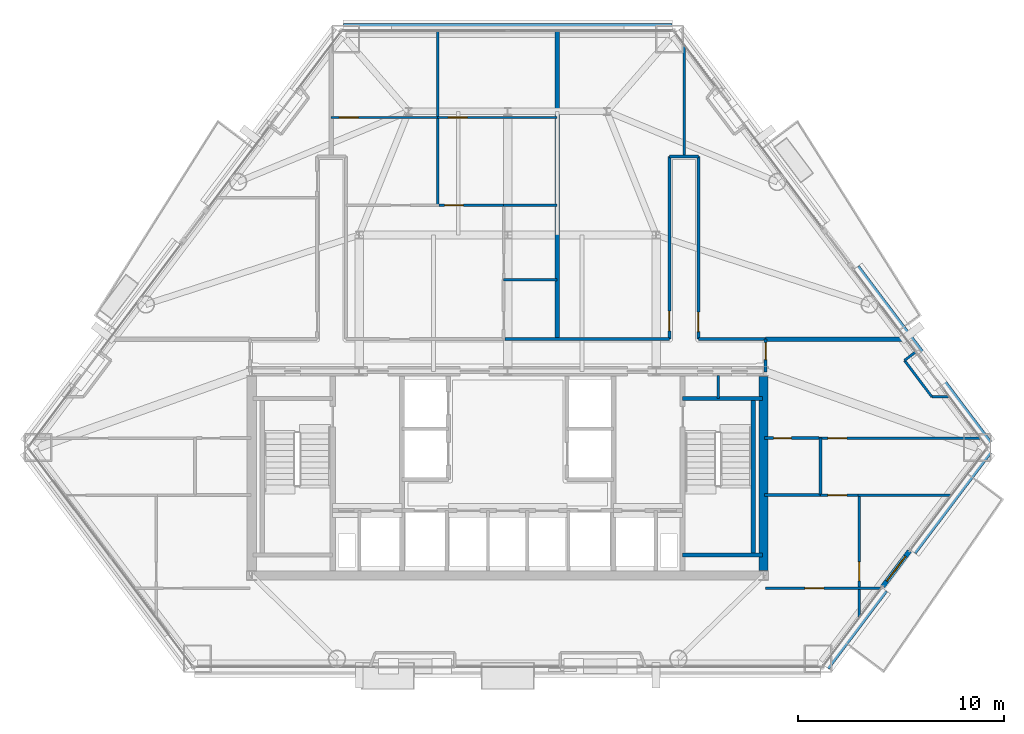
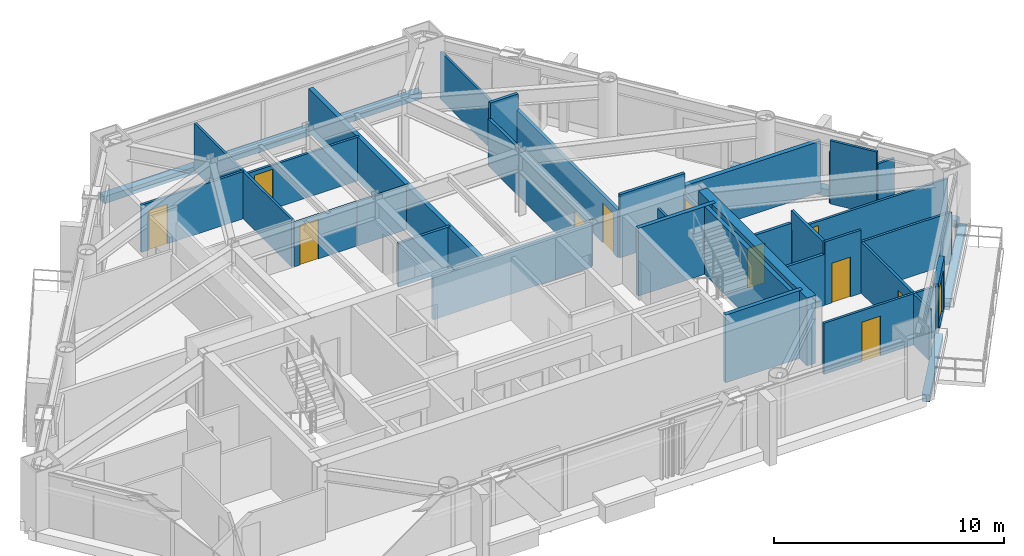
# One storey, part 8 of 11: 36 walls, 12 doors, 12 openings.
"""IFC4 building model written with IfcOpenShell, lengths in metres."""

from ifc_helpers import new_model, si_unit, direction, frame, frame_2d, origin, place, context, subcontext, project, spatial, rectangle, extrude, material, layer, layer_set, type_object, element, fill, save


model = new_model("IFC4")

# Units and contexts
model_context = context("Model", 3, precision=1e-05, world=origin(), true_north=direction((0.0, 1.0)))
body_context = subcontext(model_context, "Body", "Model", "MODEL_VIEW")
ifc_project = project(units=[si_unit("LENGTHUNIT", "METRE"), si_unit("AREAUNIT", "SQUARE_METRE"), si_unit("VOLUMEUNIT", "CUBIC_METRE"), si_unit("PLANEANGLEUNIT", "RADIAN"), si_unit("MASSUNIT", "GRAM", prefix="KILO")], contexts=[model_context])

# Site, building, storey
site_placement = place(None, origin())
site = spatial("IfcSite", under=ifc_project, at=site_placement, CompositionType="ELEMENT")
building_placement = place(site_placement, origin())
building = spatial("IfcBuilding", under=site, at=building_placement, Name="Talgorran Terracotta Tower", CompositionType="ELEMENT")
storey_placement = place(building_placement, frame((0.0, 0.0, 42.300048828125)))
storey = spatial("IfcBuildingStorey", under=building, at=storey_placement, Name="L10", CompositionType="ELEMENT", Elevation=42.300048828125)

# Wall, opening, door
ifc_material_1 = material(Name="Concrete C40/50", Category="concrete")
ifc_layer_1 = layer(ifc_material_1, 0.239990234375, Name="WT_BALCONY_SPAND")
ifc_layer_set_1 = layer_set([ifc_layer_1], Name="Concrete C40/50")
wall_type_1 = type_object("IfcWallType", Name="WT_BALCONY_SPAND", PredefinedType="STANDARD", material=ifc_layer_set_1)
wall_1_placement = place(storey_placement, frame((18.188232421875, -14.625732421875, -0.01513671875), z_axis=(0.0, 0.0, 1.0), x_axis=(0.601623476904, 0.79877981449, 0.0)))
wall_1 = element("IfcWall", 1, at=wall_1_placement, inside=storey, type_object=wall_type_1, Name="WL-L10-BALP-BAL-SE", PredefinedType="STANDARD", context=body_context, shape_type="SweptSolid", body=[
    extrude(rectangle(XDim=2.139892578125, YDim=0.239990234375, at=frame_2d((1.06982421875, 0.0))), origin(), (0.0, 0.0, 1.0), 2.728515625),
])
opening_1_placement = place(wall_1_placement, frame((0.320068359375, 0.0, 0.014892578125)))
opening_1 = element("IfcOpeningElement", 2, at=opening_1_placement, cuts=wall_1, Name="Opening D-BAL-L10-3", PredefinedType="OPENING", context=body_context, shape_type="SweptSolid", body=[
    extrude(rectangle(XDim=1.506, YDim=2.203951171875, at=frame_2d((0.75, 1.10205078125))), frame((0.0, 0.1298828125, 0.0), z_axis=(0.0, -1.0, 0.0), x_axis=(1.0, 0.0, 0.0)), (0.0, 0.0, 1.0), 0.260009765625),
])
ifc_material_2 = material(Name="Thermally Broken Aluminium", Category="aluminium")
door_type_1 = type_object("IfcDoorType", Name="DT_BALC_1500", OperationType="SLIDING_TO_RIGHT", PredefinedType="DOOR", material=ifc_material_2)
door_1_placement = place(opening_1_placement, origin())
door_1 = element("IfcDoor", 3, at=door_1_placement, inside=storey, type_object=door_type_1, Name="DR-L10-BAL-BAL-SE", OperationType="SLIDING_TO_RIGHT", OverallHeight=2.199951171875, OverallWidth=1.5, PredefinedType="DOOR", context=body_context, shape_type="SweptSolid", body=[
    extrude(rectangle(XDim=1.5, YDim=2.199951171875, at=frame_2d((0.75, 1.10009765625))), frame((0.0, 0.02490234375, 0.0), z_axis=(0.0, -1.0, 0.0), x_axis=(1.0, 0.0, 0.0)), (0.0, 0.0, 1.0), 0.050048828125),
])
fill(opening_1, door_1)

# Walls
ifc_material_3 = material(Name="Concrete C50/60", Category="concrete")
ifc_layer_2 = layer(ifc_material_3, 0.199951171875, Name="WT_CORE_200")
ifc_layer_set_2 = layer_set([ifc_layer_2], Name="Concrete C50/60")
wall_type_2 = type_object("IfcWallType", Name="WT_CORE_200", PredefinedType="SOLIDWALL", material=ifc_layer_set_2)
for number, where, z_axis, x_axis, name in (
    (4, (8.47998046875, -5.52001953125, 0.0), (0.0, 0.0, 1.0), (1.0, 0.0, 0.0), "WL-L10-CW-ST2-N"),
    (5, (8.47998046875, -13.10009765625, 0.0), (0.0, 0.0, 1.0), (1.0, 0.0, 0.0), "WL-L10-CW-ST2-S"),
):
    element("IfcWall", number, at=place(storey_placement, frame(where, z_axis=z_axis, x_axis=x_axis)), inside=storey, type_object=wall_type_2, Name=name, PredefinedType="SOLIDWALL", context=body_context, shape_type="SweptSolid", body=[
        extrude(rectangle(XDim=3.8701171875, YDim=0.199951171875, at=frame_2d((1.93505859375, 0.0))), origin(), (0.0, 0.0, 1.0), 3.599853515625),
    ])
wall_2_placement = place(storey_placement, frame((11.89990234375, -13.10009765625, 0.0), z_axis=(0.0, 0.0, 1.0), x_axis=(0.0, 1.0, 0.0)))
element("IfcWall", 6, at=wall_2_placement, inside=storey, type_object=wall_type_2, Name="WL-L10-CW-ST2-E", PredefinedType="SOLIDWALL", context=body_context, shape_type="SweptSolid", body=[
    extrude(rectangle(XDim=7.580078125, YDim=0.199951171875, at=frame_2d((3.7900390625, 0.0))), origin(), (0.0, 0.0, 1.0), 3.599853515625),
])
ifc_material_4 = material(Name="Concrete C65/80", Category="concrete")
ifc_layer_3 = layer(ifc_material_4, 0.449951171875, Name="WT_CORE_EXT")
ifc_layer_set_3 = layer_set([ifc_layer_3], Name="Concrete C65/80")
wall_type_3 = type_object("IfcWallType", Name="WT_CORE_EXT", PredefinedType="SHEAR", material=ifc_layer_set_3)
wall_3_placement = place(storey_placement, frame((12.39990234375, -13.85009765625, 0.0), z_axis=(0.0, 0.0, 1.0), x_axis=(0.0, 1.0, 0.0)))
element("IfcWall", 7, at=wall_3_placement, inside=storey, type_object=wall_type_3, Name="WL-L10-CW-OUT-E", PredefinedType="SHEAR", context=body_context, shape_type="SweptSolid", body=[
    extrude(rectangle(XDim=9.400146484375, YDim=0.449951171875, at=frame_2d((4.7001953125, 0.0))), origin(), (0.0, 0.0, 1.0), 3.599853515625),
])

# Wall, opening, door
ifc_material_5 = material(Name="Fire-Rated Steel Stud Plasterboard", Category="steel")
ifc_layer_4 = layer(ifc_material_5, 0.14990234375, Name="WT_FIRE_150")
ifc_layer_set_4 = layer_set([ifc_layer_4], Name="Fire-Rated Steel Stud Plasterboard")
wall_type_4 = type_object("IfcWallType", Name="WT_FIRE_150", PredefinedType="PARTITIONING", material=ifc_layer_set_4)
wall_4_placement = place(storey_placement, frame((7.840087890625, -2.639892578125, 0.0), z_axis=(0.0, 0.0, 1.0), x_axis=(0.0, 1.0, 0.0)))
wall_4 = element("IfcWall", 8, at=wall_4_placement, inside=storey, type_object=wall_type_4, Name="WL-L10-W-L10-R13", PredefinedType="PARTITIONING", context=body_context, shape_type="SweptSolid", body=[
    extrude(rectangle(XDim=8.83984375, YDim=0.14990234375, at=frame_2d((4.419921875, 0.0))), origin(), (0.0, 0.0, 1.0), 2.509033203125),
])
opening_2_placement = place(wall_4_placement, frame((0.39892578125, 0.0, 0.0)))
opening_2 = element("IfcOpeningElement", 9, at=opening_2_placement, cuts=wall_4, Name="Opening DR-L10-R20", PredefinedType="OPENING", context=body_context, shape_type="SweptSolid", body=[
    extrude(rectangle(XDim=0.955951171875, YDim=2.10409765625, at=frame_2d((0.47509765625, 1.052001953125))), frame((0.0, 0.0849609375, 0.0), z_axis=(0.0, -1.0, 0.0), x_axis=(1.0, 0.0, 0.0)), (0.0, 0.0, 1.0), 0.169921875),
])
ifc_material_6 = material(Name="Fire-Rated Timber Core", Category="wood")
door_type_2 = type_object("IfcDoorType", Name="DT_FIRE_950", OperationType="NOTDEFINED", PredefinedType="DOOR", material=ifc_material_6)
door_2_placement = place(opening_2_placement, origin())
door_2 = element("IfcDoor", 10, at=door_2_placement, inside=storey, type_object=door_type_2, Name="DR-L10-R20", OperationType="SINGLE_SWING_RIGHT", OverallHeight=2.10009765625, OverallWidth=0.949951171875, PredefinedType="DOOR", context=body_context, shape_type="SweptSolid", body=[
    extrude(rectangle(XDim=0.949951171875, YDim=2.10009765625, at=frame_2d((0.47509765625, 1.050048828125))), frame((0.0, 0.02490234375, 0.0), z_axis=(0.0, -1.0, 0.0), x_axis=(1.0, 0.0, 0.0)), (0.0, 0.0, 1.0), 0.050048828125),
])
fill(opening_2, door_2)

wall_5_placement = place(storey_placement, frame((9.239990234375, -2.639892578125, 0.0), z_axis=(0.0, 0.0, 1.0), x_axis=(0.0, 1.0, 0.0)))
wall_5 = element("IfcWall", 11, at=wall_5_placement, inside=storey, type_object=wall_type_4, Name="WL-L10-W-L10-R16", PredefinedType="PARTITIONING", context=body_context, shape_type="SweptSolid", body=[
    extrude(rectangle(XDim=8.83984375, YDim=0.14990234375, at=frame_2d((4.419921875, 0.0))), origin(), (0.0, 0.0, 1.0), 2.509033203125),
])
opening_3_placement = place(wall_5_placement, frame((0.359130859375, 0.0, 0.0)))
opening_3 = element("IfcOpeningElement", 12, at=opening_3_placement, cuts=wall_5, Name="Opening DR-L10-R21", PredefinedType="OPENING", context=body_context, shape_type="SweptSolid", body=[
    extrude(rectangle(XDim=0.955951171875, YDim=2.10409765625, at=frame_2d((0.47509765625, 1.052001953125))), frame((0.0, 0.0849609375, 0.0), z_axis=(0.0, -1.0, 0.0), x_axis=(1.0, 0.0, 0.0)), (0.0, 0.0, 1.0), 0.169921875),
])
door_3_placement = place(opening_3_placement, origin())
door_3 = element("IfcDoor", 13, at=door_3_placement, inside=storey, type_object=door_type_2, Name="DR-L10-R21", OperationType="SINGLE_SWING_LEFT", OverallHeight=2.10009765625, OverallWidth=0.949951171875, PredefinedType="DOOR", context=body_context, shape_type="SweptSolid", body=[
    extrude(rectangle(XDim=0.949951171875, YDim=2.10009765625, at=frame_2d((0.47509765625, 1.050048828125))), frame((0.0, 0.02490234375, 0.0), z_axis=(0.0, -1.0, 0.0), x_axis=(1.0, 0.0, 0.0)), (0.0, 0.0, 1.0), 0.050048828125),
])
fill(opening_3, door_3)

# Walls
wall_6_placement = place(storey_placement, frame((-0.137939453125, -2.639892578125, 0.0), z_axis=(0.0, 0.0, 1.0), x_axis=(1.0, 0.0, 0.0)))
element("IfcWall", 14, at=wall_6_placement, inside=storey, type_object=wall_type_4, Name="WL-L10-W-L10-R12", PredefinedType="PARTITIONING", context=body_context, shape_type="SweptSolid", body=[
    extrude(rectangle(XDim=7.97802734375, YDim=0.14990234375, at=frame_2d((3.989013671875, 0.0))), origin(), (0.0, 0.0, 1.0), 2.324951171875),
])
wall_7_placement = place(storey_placement, frame((9.239990234375, -2.639892578125, 0.0), z_axis=(0.0, 0.0, 1.0), x_axis=(1.0, 0.0, 0.0)))
element("IfcWall", 15, at=wall_7_placement, inside=storey, type_object=wall_type_4, Name="WL-L10-W-L10-R17", PredefinedType="PARTITIONING", context=body_context, shape_type="SweptSolid", body=[
    extrude(rectangle(XDim=3.260009765625, YDim=0.14990234375, at=frame_2d((1.6298828125, 0.0))), origin(), (0.0, 0.0, 1.0), 3.349853515625),
])

# Wall, opening, door
wall_8_placement = place(storey_placement, frame((12.5, -4.239990234375, 0.0), z_axis=(0.0, 0.0, 1.0), x_axis=(0.0, 1.0, 0.0)))
wall_8 = element("IfcWall", 16, at=wall_8_placement, inside=storey, type_object=wall_type_4, Name="WL-L10-W-L10-R02", PredefinedType="PARTITIONING", context=body_context, shape_type="SweptSolid", body=[
    extrude(rectangle(XDim=1.60009765625, YDim=0.14990234375, at=frame_2d((0.800048828125, 0.0))), origin(), (0.0, 0.0, 1.0), 2.324951171875),
])
opening_4_placement = place(wall_8_placement, frame((0.602294921875, 0.0, 0.0)))
opening_4 = element("IfcOpeningElement", 17, at=opening_4_placement, cuts=wall_8, Name="Opening DR-L10-R06", PredefinedType="OPENING", context=body_context, shape_type="SweptSolid", body=[
    extrude(rectangle(XDim=0.826068359375, YDim=2.10409765625, at=frame_2d((0.41015625, 1.052001953125))), frame((0.0, 0.0849609375, 0.0), z_axis=(0.0, -1.0, 0.0), x_axis=(1.0, 0.0, 0.0)), (0.0, 0.0, 1.0), 0.169921875),
])
ifc_material_7 = material(Name="Moisture-Resistant Solid Timber", Category="wood")
door_type_3 = type_object("IfcDoorType", Name="DT_INT_820", OperationType="NOTDEFINED", PredefinedType="DOOR", material=ifc_material_7)
door_4_placement = place(opening_4_placement, origin())
door_4 = element("IfcDoor", 18, at=door_4_placement, inside=storey, type_object=door_type_3, Name="DR-L10-R06", OperationType="SINGLE_SWING_RIGHT", OverallHeight=2.10009765625, OverallWidth=0.820068359375, PredefinedType="DOOR", context=body_context, shape_type="SweptSolid", body=[
    extrude(rectangle(XDim=0.820068359375, YDim=2.10009765625, at=frame_2d((0.41015625, 1.050048828125))), frame((0.0, 0.02490234375, 0.0), z_axis=(0.0, -1.0, 0.0), x_axis=(1.0, 0.0, 0.0)), (0.0, 0.0, 1.0), 0.050048828125),
])
fill(opening_4, door_4)

# Walls
wall_9_placement = place(storey_placement, frame((7.840087890625, 6.199951171875, 0.0), z_axis=(0.0, 0.0, 1.0), x_axis=(1.0, 0.0, 0.0)))
element("IfcWall", 19, at=wall_9_placement, inside=storey, type_object=wall_type_4, Name="WL-L10-W-L10-R14", PredefinedType="PARTITIONING", context=body_context, shape_type="SweptSolid", body=[
    extrude(rectangle(XDim=1.39990234375, YDim=0.14990234375, at=frame_2d((0.699951171875, 0.0))), origin(), (0.0, 0.0, 1.0), 3.349853515625),
])
ifc_layer_5 = layer(ifc_material_1, 0.219970703125, Name="WT_PARAPET_RC")
ifc_layer_set_5 = layer_set([ifc_layer_5], Name="Concrete C40/50")
wall_type_5 = type_object("IfcWallType", Name="WT_PARAPET_RC", PredefinedType="PARAPET", material=ifc_layer_set_5)
wall_10_placement = place(storey_placement, frame((15.443359375, -18.535888671875, -0.199951171875), z_axis=(0.0, 0.0, 1.0), x_axis=(0.601658024361, 0.798753792931, 0.0)))
element("IfcWall", 20, at=wall_10_placement, inside=storey, type_object=wall_type_5, Name="L10 Striped Portal Precast Cornice F30", PredefinedType="PARAPET", context=body_context, shape_type="SweptSolid", body=[
    extrude(rectangle(XDim=4.684814453125, YDim=0.360107421875, at=frame_2d((2.34228515625, 0.0))), origin(), (0.0, 0.0, 1.0), 0.3798828125),
])
wall_11_placement = place(storey_placement, frame((19.65771484375, -12.94091796875, -0.199951171875), z_axis=(0.0, 0.0, 1.0), x_axis=(0.601637160859, 0.798769507852, 0.0)))
element("IfcWall", 21, at=wall_11_placement, inside=storey, type_object=wall_type_5, Name="L10 Striped Portal Precast Cornice F31", PredefinedType="PARAPET", context=body_context, shape_type="SweptSolid", body=[
    extrude(rectangle(XDim=6.07958984375, YDim=0.360107421875, at=frame_2d((3.039794921875, 0.0))), origin(), (0.0, 0.0, 1.0), 0.3798828125),
])
wall_12_placement = place(storey_placement, frame((23.3154296875, -7.7001953125, -0.199951171875), z_axis=(0.0, 0.0, 1.0), x_axis=(-0.601640427837, 0.798767047137, 0.0)))
element("IfcWall", 22, at=wall_12_placement, inside=storey, type_object=wall_type_5, Name="L10 Striped Portal Precast Cornice F40", PredefinedType="PARAPET", context=body_context, shape_type="SweptSolid", body=[
    extrude(rectangle(XDim=10.65966796875, YDim=0.360107421875, at=frame_2d((5.329833984375, 0.0))), origin(), (0.0, 0.0, 1.0), 0.3798828125),
])
wall_13_placement = place(storey_placement, frame((7.966796875, 12.4658203125, -0.199951171875), z_axis=(0.0, 0.0, 1.0), x_axis=(-1.0, 0.0, 0.0)))
element("IfcWall", 23, at=wall_13_placement, inside=storey, type_object=wall_type_5, Name="L10 Striped Portal Precast Cornice F4", PredefinedType="PARAPET", context=body_context, shape_type="SweptSolid", body=[
    extrude(rectangle(XDim=15.93359375, YDim=0.360107421875, at=frame_2d((7.966796875, 0.0))), origin(), (0.0, 0.0, 1.0), 0.3798828125),
])
ifc_material_8 = material(Name="Acoustic Masonry and Plasterboard", Category="masonry")
ifc_layer_6 = layer(ifc_material_8, 0.219970703125, Name="WT_PARTY_220")
ifc_layer_set_6 = layer_set([ifc_layer_6], Name="Acoustic Masonry and Plasterboard")
wall_type_6 = type_object("IfcWallType", Name="WT_PARTY_220", PredefinedType="PARTITIONING", material=ifc_layer_set_6)
wall_14_placement = place(storey_placement, frame((12.5, -2.639892578125, 0.0), z_axis=(0.0, 0.0, 1.0), x_axis=(1.0, 0.0, 0.0)))
element("IfcWall", 24, at=wall_14_placement, inside=storey, type_object=wall_type_6, Name="WL-L10-W-L10-R29", PredefinedType="PARTITIONING", context=body_context, shape_type="SweptSolid", body=[
    extrude(rectangle(XDim=6.8037109375, YDim=0.219970703125, at=frame_2d((3.40185546875, 0.0))), origin(), (0.0, 0.0, 1.0), 2.71337890625),
])
wall_15_placement = place(storey_placement, frame((2.39990234375, -2.639892578125, 0.0), z_axis=(0.0, 0.0, 1.0), x_axis=(0.0, 1.0, 0.0)))
element("IfcWall", 25, at=wall_15_placement, inside=storey, type_object=wall_type_6, Name="WL-L10-W-L10-R51", PredefinedType="PARTITIONING", context=body_context, shape_type="SweptSolid", body=[
    extrude(rectangle(XDim=14.945556640625, YDim=0.219970703125, at=frame_2d((7.47265625, 0.0))), origin(), (0.0, 0.0, 1.0), 2.324951171875),
])
ifc_material_9 = material(Name="Insulated Steel Stud Plasterboard", Category="steel")
ifc_layer_7 = layer(ifc_material_9, 0.1201171875, Name="WT_PART_120")
ifc_layer_set_7 = layer_set([ifc_layer_7], Name="Insulated Steel Stud Plasterboard")
wall_type_7 = type_object("IfcWallType", Name="WT_PART_120", PredefinedType="PARTITIONING", material=ifc_layer_set_7)
wall_16_placement = place(storey_placement, frame((10.199951171875, -5.52001953125, 0.0), z_axis=(0.0, 0.0, 1.0), x_axis=(0.0, 1.0, 0.0)))
element("IfcWall", 26, at=wall_16_placement, inside=storey, type_object=wall_type_7, Name="WL-L10-CW-CSE-DIV", PredefinedType="PARTITIONING", context=body_context, shape_type="SweptSolid", body=[
    extrude(rectangle(XDim=1.1201171875, YDim=0.1201171875, at=frame_2d((0.56005859375, 0.0))), origin(), (0.0, 0.0, 1.0), 3.349853515625),
])

# Wall, opening, door
wall_17_placement = place(storey_placement, frame((15.080078125, -7.43994140625, 0.0), z_axis=(0.0, 0.0, 1.0), x_axis=(1.0, 0.0, 0.0)))
wall_17 = element("IfcWall", 27, at=wall_17_placement, inside=storey, type_object=wall_type_7, Name="WL-L10-W-L10-R28", PredefinedType="PARTITIONING", context=body_context, shape_type="SweptSolid", body=[
    extrude(rectangle(XDim=7.839111328125, YDim=0.1201171875, at=frame_2d((3.91943359375, 0.0))), origin(), (0.0, 0.0, 1.0), 2.324951171875),
])
opening_5_placement = place(wall_17_placement, frame((0.43896484375, 0.0, 0.0)))
opening_5 = element("IfcOpeningElement", 28, at=opening_5_placement, cuts=wall_17, Name="Opening DR-L10-R08", PredefinedType="OPENING", context=body_context, shape_type="SweptSolid", body=[
    extrude(rectangle(XDim=0.925921875, YDim=2.10409765625, at=frame_2d((0.4599609375, 1.052001953125))), frame((0.0, 0.070068359375, 0.0), z_axis=(0.0, -1.0, 0.0), x_axis=(1.0, 0.0, 0.0)), (0.0, 0.0, 1.0), 0.14013671875),
])
ifc_material_10 = material(Name="Solid-Core Painted Timber", Category="wood")
door_type_4 = type_object("IfcDoorType", Name="DT_INT_920", OperationType="NOTDEFINED", PredefinedType="DOOR", material=ifc_material_10)
door_5_placement = place(opening_5_placement, origin())
door_5 = element("IfcDoor", 29, at=door_5_placement, inside=storey, type_object=door_type_4, Name="DR-L10-R08", OperationType="SINGLE_SWING_RIGHT", OverallHeight=2.10009765625, OverallWidth=0.919921875, PredefinedType="DOOR", context=body_context, shape_type="SweptSolid", body=[
    extrude(rectangle(XDim=0.919921875, YDim=2.10009765625, at=frame_2d((0.4599609375, 1.050048828125))), frame((0.0, 0.02490234375, 0.0), z_axis=(0.0, -1.0, 0.0), x_axis=(1.0, 0.0, 0.0)), (0.0, 0.0, 1.0), 0.050048828125),
])
fill(opening_5, door_5)

wall_18_placement = place(storey_placement, frame((17.0400390625, -16.150390625, 0.0), z_axis=(0.0, 0.0, 1.0), x_axis=(0.0, 1.0, 0.0)))
wall_18 = element("IfcWall", 30, at=wall_18_placement, inside=storey, type_object=wall_type_7, Name="WL-L10-W-L10-R35", PredefinedType="PARTITIONING", context=body_context, shape_type="SweptSolid", body=[
    extrude(rectangle(XDim=5.950439453125, YDim=0.1201171875, at=frame_2d((2.97509765625, 0.0))), origin(), (0.0, 0.0, 1.0), 2.71337890625),
])
opening_6_placement = place(wall_18_placement, frame((1.78759765625, 0.0, 0.0)))
opening_6 = element("IfcOpeningElement", 31, at=opening_6_placement, cuts=wall_18, Name="Opening DR-L10-R10", PredefinedType="OPENING", context=body_context, shape_type="SweptSolid", body=[
    extrude(rectangle(XDim=0.925921875, YDim=2.10409765625, at=frame_2d((0.4599609375, 1.052001953125))), frame((0.0, 0.070068359375, 0.0), z_axis=(0.0, -1.0, 0.0), x_axis=(1.0, 0.0, 0.0)), (0.0, 0.0, 1.0), 0.14013671875),
])
door_6_placement = place(opening_6_placement, origin())
door_6 = element("IfcDoor", 32, at=door_6_placement, inside=storey, type_object=door_type_4, Name="DR-L10-R10", OperationType="SINGLE_SWING_RIGHT", OverallHeight=2.10009765625, OverallWidth=0.919921875, PredefinedType="DOOR", context=body_context, shape_type="SweptSolid", body=[
    extrude(rectangle(XDim=0.919921875, YDim=2.10009765625, at=frame_2d((0.4599609375, 1.050048828125))), frame((0.0, 0.02490234375, 0.0), z_axis=(0.0, -1.0, 0.0), x_axis=(1.0, 0.0, 0.0)), (0.0, 0.0, 1.0), 0.050048828125),
])
fill(opening_6, door_6)

wall_19_placement = place(storey_placement, frame((-3.39990234375, 8.10009765625, 0.0), z_axis=(0.0, 0.0, 1.0), x_axis=(1.0, 0.0, 0.0)))
wall_19 = element("IfcWall", 33, at=wall_19_placement, inside=storey, type_object=wall_type_7, Name="WL-L10-W-L10-R50", PredefinedType="PARTITIONING", context=body_context, shape_type="SweptSolid", body=[
    extrude(rectangle(XDim=5.7998046875, YDim=0.1201171875, at=frame_2d((2.89990234375, 0.0))), origin(), (0.0, 0.0, 1.0), 2.324951171875),
])
opening_7_placement = place(wall_19_placement, frame((0.52001953125, 0.0, 0.0)))
opening_7 = element("IfcOpeningElement", 34, at=opening_7_placement, cuts=wall_19, Name="Opening DR-L10-R19", PredefinedType="OPENING", context=body_context, shape_type="SweptSolid", body=[
    extrude(rectangle(XDim=0.925921875, YDim=2.10409765625, at=frame_2d((0.4599609375, 1.052001953125))), frame((0.0, 0.070068359375, 0.0), z_axis=(0.0, -1.0, 0.0), x_axis=(1.0, 0.0, 0.0)), (0.0, 0.0, 1.0), 0.14013671875),
])
door_7_placement = place(opening_7_placement, origin())
door_7 = element("IfcDoor", 35, at=door_7_placement, inside=storey, type_object=door_type_4, Name="DR-L10-R19", OperationType="SINGLE_SWING_LEFT", OverallHeight=2.10009765625, OverallWidth=0.919921875, PredefinedType="DOOR", context=body_context, shape_type="SweptSolid", body=[
    extrude(rectangle(XDim=0.919921875, YDim=2.10009765625, at=frame_2d((0.4599609375, 1.050048828125))), frame((0.0, 0.02490234375, 0.0), z_axis=(0.0, -1.0, 0.0), x_axis=(1.0, 0.0, 0.0)), (0.0, 0.0, 1.0), 0.050048828125),
])
fill(opening_7, door_7)

wall_20_placement = place(storey_placement, frame((12.5, -14.719970703125, 0.0), z_axis=(0.0, 0.0, 1.0), x_axis=(1.0, 0.0, 0.0)))
wall_20 = element("IfcWall", 36, at=wall_20_placement, inside=storey, type_object=wall_type_7, Name="WL-L10-W-L10-R34", PredefinedType="PARTITIONING", context=body_context, shape_type="SweptSolid", body=[
    extrude(rectangle(XDim=5.6171875, YDim=0.1201171875, at=frame_2d((2.80859375, 0.0))), origin(), (0.0, 0.0, 1.0), 2.71337890625),
])
opening_8_placement = place(wall_20_placement, frame((1.909423828125, 0.0, 0.0)))
opening_8 = element("IfcOpeningElement", 37, at=opening_8_placement, cuts=wall_20, Name="Opening DR-L10-R09", PredefinedType="OPENING", context=body_context, shape_type="SweptSolid", body=[
    extrude(rectangle(XDim=0.925921875, YDim=2.10409765625, at=frame_2d((0.4599609375, 1.052001953125))), frame((0.0, 0.070068359375, 0.0), z_axis=(0.0, -1.0, 0.0), x_axis=(1.0, 0.0, 0.0)), (0.0, 0.0, 1.0), 0.14013671875),
])
door_8_placement = place(opening_8_placement, origin())
door_8 = element("IfcDoor", 38, at=door_8_placement, inside=storey, type_object=door_type_4, Name="DR-L10-R09", OperationType="SINGLE_SWING_LEFT", OverallHeight=2.10009765625, OverallWidth=0.919921875, PredefinedType="DOOR", context=body_context, shape_type="SweptSolid", body=[
    extrude(rectangle(XDim=0.919921875, YDim=2.10009765625, at=frame_2d((0.4599609375, 1.050048828125))), frame((0.0, 0.02490234375, 0.0), z_axis=(0.0, -1.0, 0.0), x_axis=(1.0, 0.0, 0.0)), (0.0, 0.0, 1.0), 0.050048828125),
])
fill(opening_8, door_8)

# Wall
wall_21_placement = place(storey_placement, frame((8.56005859375, 6.199951171875, 0.0), z_axis=(0.0, 0.0, 1.0), x_axis=(0.0, 1.0, 0.0)))
element("IfcWall", 39, at=wall_21_placement, inside=storey, type_object=wall_type_7, Name="WL-L10-W-L10-R53", PredefinedType="PARTITIONING", context=body_context, shape_type="SweptSolid", body=[
    extrude(rectangle(XDim=5.424560546875, YDim=0.1201171875, at=frame_2d((2.71240234375, 0.0))), origin(), (0.0, 0.0, 1.0), 2.509033203125),
])

# Wall, opening, door
wall_22_placement = place(storey_placement, frame((-8.56005859375, 8.10009765625, 0.0), z_axis=(0.0, 0.0, 1.0), x_axis=(1.0, 0.0, 0.0)))
wall_22 = element("IfcWall", 40, at=wall_22_placement, inside=storey, type_object=wall_type_7, Name="WL-L10-W-L10-R47", PredefinedType="PARTITIONING", context=body_context, shape_type="SweptSolid", body=[
    extrude(rectangle(XDim=5.16015625, YDim=0.1201171875, at=frame_2d((2.580078125, 0.0))), origin(), (0.0, 0.0, 1.0), 2.509033203125),
])
opening_9_placement = place(wall_22_placement, frame((0.397216796875, 0.0, 0.0)))
opening_9 = element("IfcOpeningElement", 41, at=opening_9_placement, cuts=wall_22, Name="Opening DR-L10-R17", PredefinedType="OPENING", context=body_context, shape_type="SweptSolid", body=[
    extrude(rectangle(XDim=0.925921875, YDim=2.10409765625, at=frame_2d((0.4599609375, 1.052001953125))), frame((0.0, 0.070068359375, 0.0), z_axis=(0.0, -1.0, 0.0), x_axis=(1.0, 0.0, 0.0)), (0.0, 0.0, 1.0), 0.14013671875),
])
door_9_placement = place(opening_9_placement, origin())
door_9 = element("IfcDoor", 42, at=door_9_placement, inside=storey, type_object=door_type_4, Name="DR-L10-R17", OperationType="SINGLE_SWING_LEFT", OverallHeight=2.10009765625, OverallWidth=0.919921875, PredefinedType="DOOR", context=body_context, shape_type="SweptSolid", body=[
    extrude(rectangle(XDim=0.919921875, YDim=2.10009765625, at=frame_2d((0.4599609375, 1.050048828125))), frame((0.0, 0.02490234375, 0.0), z_axis=(0.0, -1.0, 0.0), x_axis=(1.0, 0.0, 0.0)), (0.0, 0.0, 1.0), 0.050048828125),
])
fill(opening_9, door_9)

# Walls
wall_23_placement = place(storey_placement, frame((16.97998046875, -10.199951171875, 0.0), z_axis=(0.0, 0.0, 1.0), x_axis=(1.0, 0.0, 0.0)))
element("IfcWall", 43, at=wall_23_placement, inside=storey, type_object=wall_type_7, Name="WL-L10-W-L10-R33", PredefinedType="PARTITIONING", context=body_context, shape_type="SweptSolid", body=[
    extrude(rectangle(XDim=4.541748046875, YDim=0.1201171875, at=frame_2d((2.27099609375, 0.0))), origin(), (0.0, 0.0, 1.0), 2.71337890625),
])
wall_24_placement = place(storey_placement, frame((-3.39990234375, 3.840087890625, 0.0), z_axis=(0.0, 0.0, 1.0), x_axis=(0.0, 1.0, 0.0)))
element("IfcWall", 44, at=wall_24_placement, inside=storey, type_object=wall_type_7, Name="WL-L10-W-L10-R48", PredefinedType="PARTITIONING", context=body_context, shape_type="SweptSolid", body=[
    extrude(rectangle(XDim=8.465576171875, YDim=0.1201171875, at=frame_2d((4.23291015625, 0.0))), origin(), (0.0, 0.0, 1.0), 2.509033203125),
])

# Wall, opening, door
wall_25_placement = place(storey_placement, frame((-3.337890625, 3.840087890625, 0.0), z_axis=(0.0, 0.0, 1.0), x_axis=(1.0, 0.0, 0.0)))
wall_25 = element("IfcWall", 45, at=wall_25_placement, inside=storey, type_object=wall_type_7, Name="WL-L10-W-L10-R46", PredefinedType="PARTITIONING", context=body_context, shape_type="SweptSolid", body=[
    extrude(rectangle(XDim=3.137939453125, YDim=0.1201171875, at=frame_2d((1.56884765625, 0.0))), origin(), (0.0, 0.0, 1.0), 2.324951171875),
])
opening_10_placement = place(wall_25_placement, frame((0.275390625, 0.0, 0.0)))
opening_10 = element("IfcOpeningElement", 46, at=opening_10_placement, cuts=wall_25, Name="Opening DR-L10-R18", PredefinedType="OPENING", context=body_context, shape_type="SweptSolid", body=[
    extrude(rectangle(XDim=0.925921875, YDim=2.10409765625, at=frame_2d((0.4599609375, 1.052001953125))), frame((0.0, 0.070068359375, 0.0), z_axis=(0.0, -1.0, 0.0), x_axis=(1.0, 0.0, 0.0)), (0.0, 0.0, 1.0), 0.14013671875),
])
door_10_placement = place(opening_10_placement, origin())
door_10 = element("IfcDoor", 47, at=door_10_placement, inside=storey, type_object=door_type_4, Name="DR-L10-R18", OperationType="SINGLE_SWING_RIGHT", OverallHeight=2.10009765625, OverallWidth=0.919921875, PredefinedType="DOOR", context=body_context, shape_type="SweptSolid", body=[
    extrude(rectangle(XDim=0.919921875, YDim=2.10009765625, at=frame_2d((0.4599609375, 1.050048828125))), frame((0.0, 0.02490234375, 0.0), z_axis=(0.0, -1.0, 0.0), x_axis=(1.0, 0.0, 0.0)), (0.0, 0.0, 1.0), 0.050048828125),
])
fill(opening_10, door_10)

# Walls
wall_26_placement = place(storey_placement, frame((-0.199951171875, 3.840087890625, 0.0), z_axis=(0.0, 0.0, 1.0), x_axis=(1.0, 0.0, 0.0)))
element("IfcWall", 48, at=wall_26_placement, inside=storey, type_object=wall_type_7, Name="WL-L10-W-L10-R43", PredefinedType="PARTITIONING", context=body_context, shape_type="SweptSolid", body=[
    extrude(rectangle(XDim=2.599853515625, YDim=0.1201171875, at=frame_2d((1.2998046875, 0.0))), origin(), (0.0, 0.0, 1.0), 2.324951171875),
])
wall_27_placement = place(storey_placement, frame((20.563232421875, -5.4423828125, 0.0), z_axis=(0.0, 0.0, 1.0), x_axis=(-0.60167490335, 0.798741078622, 0.0)))
element("IfcWall", 49, at=wall_27_placement, inside=storey, type_object=wall_type_7, Name="WL-L10-BW-L10-12", PredefinedType="PARTITIONING", context=body_context, shape_type="SweptSolid", body=[
    extrude(rectangle(XDim=2.2138671875, YDim=0.1201171875, at=frame_2d((1.10693359375, 0.0))), origin(), (0.0, 0.0, 1.0), 3.349853515625),
])

# Wall, opening, door
wall_28_placement = place(storey_placement, frame((15.159912109375, -10.199951171875, 0.0), z_axis=(0.0, 0.0, 1.0), x_axis=(1.0, 0.0, 0.0)))
wall_28 = element("IfcWall", 50, at=wall_28_placement, inside=storey, type_object=wall_type_7, Name="WL-L10-W-L10-R32", PredefinedType="PARTITIONING", context=body_context, shape_type="SweptSolid", body=[
    extrude(rectangle(XDim=1.818115234375, YDim=0.1201171875, at=frame_2d((0.9091796875, 0.0))), origin(), (0.0, 0.0, 1.0), 3.349853515625),
])
opening_11_placement = place(wall_28_placement, frame((0.360107421875, 0.0, 0.0)))
opening_11 = element("IfcOpeningElement", 51, at=opening_11_placement, cuts=wall_28, Name="Opening DR-L10-R23", PredefinedType="OPENING", context=body_context, shape_type="SweptSolid", body=[
    extrude(rectangle(XDim=0.925921875, YDim=2.10409765625, at=frame_2d((0.4599609375, 1.052001953125))), frame((0.0, 0.070068359375, 0.0), z_axis=(0.0, -1.0, 0.0), x_axis=(1.0, 0.0, 0.0)), (0.0, 0.0, 1.0), 0.14013671875),
])
door_11_placement = place(opening_11_placement, origin())
door_11 = element("IfcDoor", 52, at=door_11_placement, inside=storey, type_object=door_type_4, Name="DR-L10-R23", OperationType="SINGLE_SWING_LEFT", OverallHeight=2.10009765625, OverallWidth=0.919921875, PredefinedType="DOOR", context=body_context, shape_type="SweptSolid", body=[
    extrude(rectangle(XDim=0.919921875, YDim=2.10009765625, at=frame_2d((0.4599609375, 1.050048828125))), frame((0.0, 0.02490234375, 0.0), z_axis=(0.0, -1.0, 0.0), x_axis=(1.0, 0.0, 0.0)), (0.0, 0.0, 1.0), 0.050048828125),
])
fill(opening_11, door_11)

# Walls
wall_29_placement = place(storey_placement, frame((21.397216796875, -5.43603515625, 0.0), z_axis=(0.0, 0.0, 1.0), x_axis=(-0.999971035762, -0.007611020764, 0.0)))
element("IfcWall", 53, at=wall_29_placement, inside=storey, type_object=wall_type_7, Name="WL-L10-BW-L10-11", PredefinedType="PARTITIONING", context=body_context, shape_type="SweptSolid", body=[
    extrude(rectangle(XDim=0.833984375, YDim=0.1201171875, at=frame_2d((0.4169921875, 0.0))), origin(), (0.0, 0.0, 1.0), 2.71337890625),
])
wall_30_placement = place(storey_placement, frame((19.231201171875, -3.674072265625, 0.0), z_axis=(0.0, 0.0, 1.0), x_axis=(0.798905778506, 0.601456197133, 0.0)))
element("IfcWall", 54, at=wall_30_placement, inside=storey, type_object=wall_type_7, Name="WL-L10-BW-L10-10", PredefinedType="PARTITIONING", context=body_context, shape_type="SweptSolid", body=[
    extrude(rectangle(XDim=0.670166015625, YDim=0.1201171875, at=frame_2d((0.3349609375, 0.0))), origin(), (0.0, 0.0, 1.0), 2.71337890625),
])

# Wall, opening, door
ifc_material_11 = material(Name="Moisture-Resistant Stud Wall")
ifc_layer_8 = layer(ifc_material_11, 0.135009765625, Name="WT_PART_135")
ifc_layer_set_8 = layer_set([ifc_layer_8], Name="Moisture-Resistant Stud Wall")
wall_type_8 = type_object("IfcWallType", Name="WT_PART_135", PredefinedType="PARTITIONING", material=ifc_layer_set_8)
wall_31_placement = place(storey_placement, frame((12.43994140625, -7.43994140625, 0.0), z_axis=(0.0, 0.0, 1.0), x_axis=(1.0, 0.0, 0.0)))
wall_31 = element("IfcWall", 55, at=wall_31_placement, inside=storey, type_object=wall_type_8, Name="WL-L10-W-L10-R27", PredefinedType="PARTITIONING", context=body_context, shape_type="SweptSolid", body=[
    extrude(rectangle(XDim=2.637939453125, YDim=0.135009765625, at=frame_2d((1.31884765625, 0.0))), origin(), (0.0, 0.0, 1.0), 2.71337890625),
])
opening_12_placement = place(wall_31_placement, frame((0.458251953125, 0.0, 0.0)))
opening_12 = element("IfcOpeningElement", 56, at=opening_12_placement, cuts=wall_31, Name="Opening DR-L10-R07", PredefinedType="OPENING", context=body_context, shape_type="SweptSolid", body=[
    extrude(rectangle(XDim=0.85609765625, YDim=2.10409765625, at=frame_2d((0.425048828125, 1.052001953125))), frame((0.0, 0.07763671875, 0.0), z_axis=(0.0, -1.0, 0.0), x_axis=(1.0, 0.0, 0.0)), (0.0, 0.0, 1.0), 0.155029296875),
])
door_type_5 = type_object("IfcDoorType", Name="DT_INT_850", OperationType="NOTDEFINED", PredefinedType="DOOR", material=ifc_material_7)
door_12_placement = place(opening_12_placement, origin())
door_12 = element("IfcDoor", 57, at=door_12_placement, inside=storey, type_object=door_type_5, Name="DR-L10-R07", OperationType="SINGLE_SWING_LEFT", OverallHeight=2.10009765625, OverallWidth=0.85009765625, PredefinedType="DOOR", context=body_context, shape_type="SweptSolid", body=[
    extrude(rectangle(XDim=0.85009765625, YDim=2.10009765625, at=frame_2d((0.425048828125, 1.050048828125))), frame((0.0, 0.02490234375, 0.0), z_axis=(0.0, -1.0, 0.0), x_axis=(1.0, 0.0, 0.0)), (0.0, 0.0, 1.0), 0.050048828125),
])
fill(opening_12, door_12)

# Walls
wall_32_placement = place(storey_placement, frame((15.159912109375, -10.199951171875, 0.0), z_axis=(0.0, 0.0, 1.0), x_axis=(0.0, 1.0, 0.0)))
element("IfcWall", 58, at=wall_32_placement, inside=storey, type_object=wall_type_8, Name="WL-L10-W-L10-R30", PredefinedType="PARTITIONING", context=body_context, shape_type="SweptSolid", body=[
    extrude(rectangle(XDim=2.760009765625, YDim=0.135009765625, at=frame_2d((1.3798828125, 0.0))), origin(), (0.0, 0.0, 1.0), 3.349853515625),
])
wall_33_placement = place(storey_placement, frame((12.43994140625, -10.199951171875, 0.0), z_axis=(0.0, 0.0, 1.0), x_axis=(1.0, 0.0, 0.0)))
element("IfcWall", 59, at=wall_33_placement, inside=storey, type_object=wall_type_8, Name="WL-L10-W-L10-R31", PredefinedType="PARTITIONING", context=body_context, shape_type="SweptSolid", body=[
    extrude(rectangle(XDim=2.719970703125, YDim=0.135009765625, at=frame_2d((1.35986328125, 0.0))), origin(), (0.0, 0.0, 1.0), 2.71337890625),
])
wall_34_placement = place(storey_placement, frame((-0.199951171875, 0.239990234375, 0.0), z_axis=(0.0, 0.0, 1.0), x_axis=(1.0, 0.0, 0.0)))
element("IfcWall", 60, at=wall_34_placement, inside=storey, type_object=wall_type_8, Name="WL-L10-W-L10-R39", PredefinedType="PARTITIONING", context=body_context, shape_type="SweptSolid", body=[
    extrude(rectangle(XDim=2.599853515625, YDim=0.135009765625, at=frame_2d((1.2998046875, 0.0))), origin(), (0.0, 0.0, 1.0), 2.324951171875),
])

save(model, "model.ifc")
